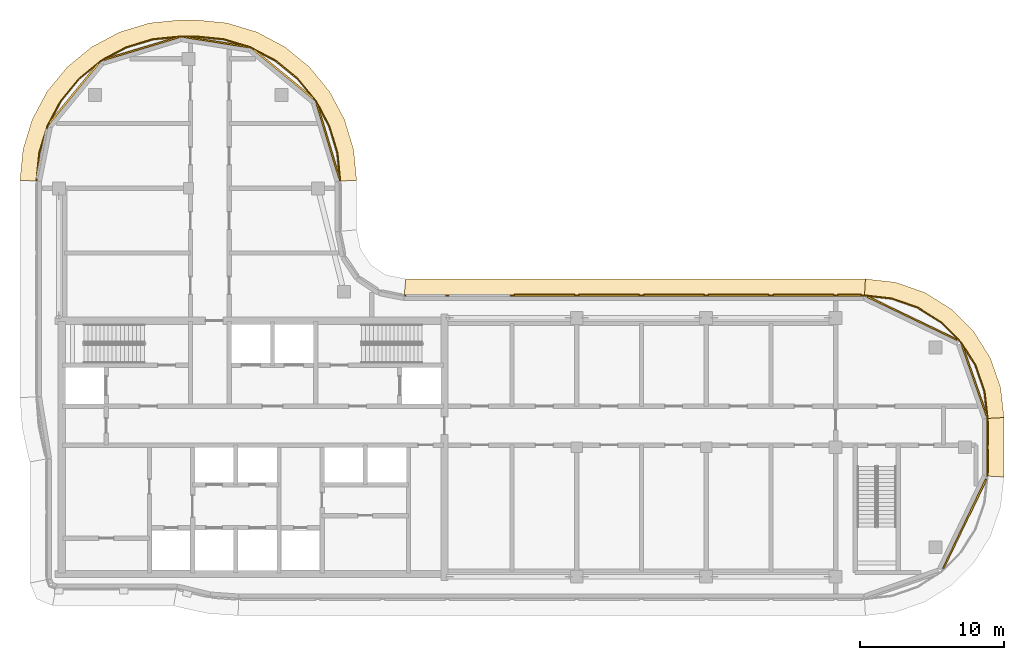
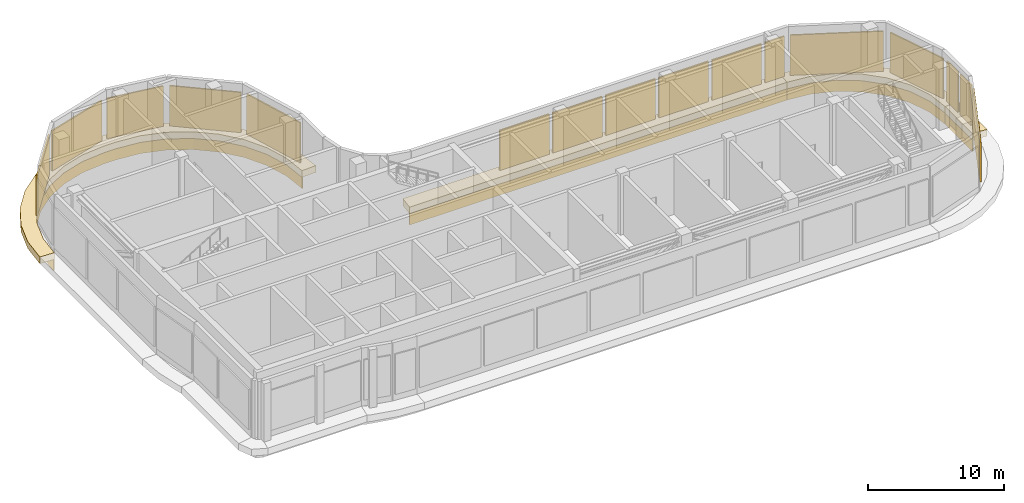
# One storey, part 14 of 14: 16 shading devices, 8 coverings.
"""IFC4 building model written with IfcOpenShell, lengths in metres."""

from ifc_helpers import new_model, si_unit, direction, frame, origin, origin_2d, place, context, subcontext, project, spatial, polyline, rectangle, outline, extrude, material, layer, layer_set, type_object, element, save


model = new_model("IFC4")

# Units and contexts
model_context = context("Model", 3, precision=1e-05, world=origin(), true_north=direction((0.0, 1.0)))
body_context = subcontext(model_context, "Body", "Model", "MODEL_VIEW")
ifc_project = project(units=[si_unit("LENGTHUNIT", "METRE"), si_unit("AREAUNIT", "SQUARE_METRE"), si_unit("VOLUMEUNIT", "CUBIC_METRE"), si_unit("PLANEANGLEUNIT", "RADIAN"), si_unit("MASSUNIT", "GRAM", prefix="KILO")], contexts=[model_context])

# Site, building, storey
site_placement = place(None, origin())
site = spatial("IfcSite", under=ifc_project, at=site_placement, CompositionType="ELEMENT")
building_placement = place(site_placement, origin())
building = spatial("IfcBuilding", under=site, at=building_placement, Name="Ogive Portal Towers", CompositionType="ELEMENT")
storey_placement = place(building_placement, frame((0.0, 0.0, 243.89990234375)))
storey = spatial("IfcBuildingStorey", under=building, at=storey_placement, Name="L61", CompositionType="ELEMENT", Elevation=243.89990234375)

# Shading devices
ifc_material_1 = material(Name="Aluminium 6063 anodised", Category="aluminium")
ifc_layer_1 = layer(ifc_material_1, 0.1201171875)
ifc_layer_set_1 = layer_set([ifc_layer_1], Name="LOUVRE BANK ALUMINIUM")
shading_device_type = type_object("IfcShadingDeviceType", Name="LOUVRE BANK ALUMINIUM", PredefinedType="USERDEFINED", material=ifc_layer_set_1)
shading_device_1_placement = place(storey_placement, frame((94.466064453125, 25.17626953125, 0.60009765625), z_axis=(0.0, 0.0, 1.0), x_axis=(0.433883739113, 0.900968867905, 0.0)))
element("IfcShadingDevice", 1, at=shading_device_1_placement, inside=storey, type_object=shading_device_type, Name="Louvre bank 1", ObjectType="LOUVRE", PredefinedType="USERDEFINED", context=body_context, shape_type="SweptSolid", body=[
    extrude(rectangle(XDim=6.88330078125, YDim=0.1201171875, at=origin_2d()), origin(), (0.0, 0.0, 1.0), 3.60009765625),
])
shading_device_2_placement = place(storey_placement, frame((96.06005859375, 29.5341796875, 0.60009765625), z_axis=(0.0, 0.0, 1.0), x_axis=(0.0, 1.0, 0.0)))
element("IfcShadingDevice", 2, at=shading_device_2_placement, inside=storey, type_object=shading_device_type, Name="Louvre bank 1", ObjectType="LOUVRE", PredefinedType="USERDEFINED", context=body_context, shape_type="SweptSolid", body=[
    extrude(rectangle(XDim=1.631591796875, YDim=0.1201171875, at=origin_2d()), origin(), (0.0, 0.0, 1.0), 3.60009765625),
])
shading_device_3_placement = place(storey_placement, frame((96.06005859375, 31.474609375, 0.60009765625), z_axis=(0.0, 0.0, 1.0), x_axis=(0.0, 1.0, 0.0)))
element("IfcShadingDevice", 3, at=shading_device_3_placement, inside=storey, type_object=shading_device_type, Name="Louvre bank 2", ObjectType="LOUVRE", PredefinedType="USERDEFINED", context=body_context, shape_type="SweptSolid", body=[
    extrude(rectangle(XDim=1.64892578125, YDim=0.1201171875, at=origin_2d()), origin(), (0.0, 0.0, 1.0), 3.60009765625),
])
shading_device_4_placement = place(storey_placement, frame((95.1416015625, 35.135009765625, 0.60009765625), z_axis=(0.0, 0.0, 1.0), x_axis=(-0.33027906196, 0.943883330307, 0.0)))
element("IfcShadingDevice", 4, at=shading_device_4_placement, inside=storey, type_object=shading_device_type, Name="Louvre bank 1", ObjectType="LOUVRE", PredefinedType="USERDEFINED", context=body_context, shape_type="SweptSolid", body=[
    extrude(rectangle(XDim=5.139404296875, YDim=0.1201171875, at=origin_2d()), origin(), (0.0, 0.0, 1.0), 3.60009765625),
])
shading_device_5_placement = place(storey_placement, frame((90.82373046875, 39.466064453125, 0.60009765625), z_axis=(0.0, 0.0, 1.0), x_axis=(-0.900968867905, 0.433883739113, 0.0)))
element("IfcShadingDevice", 5, at=shading_device_5_placement, inside=storey, type_object=shading_device_type, Name="Louvre bank 1", ObjectType="LOUVRE", PredefinedType="USERDEFINED", context=body_context, shape_type="SweptSolid", body=[
    extrude(rectangle(XDim=6.88330078125, YDim=0.1201171875, at=origin_2d()), origin(), (0.0, 0.0, 1.0), 3.60009765625),
])
shading_device_6_placement = place(storey_placement, frame((86.4658203125, 41.06005859375, 0.60009765625), z_axis=(0.0, 0.0, 1.0), x_axis=(-1.0, 0.0, 0.0)))
element("IfcShadingDevice", 6, at=shading_device_6_placement, inside=storey, type_object=shading_device_type, Name="Louvre bank 1", ObjectType="LOUVRE", PredefinedType="USERDEFINED", context=body_context, shape_type="SweptSolid", body=[
    extrude(rectangle(XDim=1.631591796875, YDim=0.1201171875, at=origin_2d()), origin(), (0.0, 0.0, 1.0), 3.60009765625),
])
for number, where, z_axis, x_axis, name in (
    (7, (83.25, 41.06005859375, 0.60009765625), (0.0, 0.0, 1.0), (-1.0, 0.0, 0.0), "Louvre bank 2"),
    (8, (78.75, 41.06005859375, 0.60009765625), (0.0, 0.0, 1.0), (-1.0, 0.0, 0.0), "Louvre bank 3"),
    (9, (74.25, 41.06005859375, 0.60009765625), (0.0, 0.0, 1.0), (-1.0, 0.0, 0.0), "Louvre bank 4"),
    (10, (69.75, 41.06005859375, 0.60009765625), (0.0, 0.0, 1.0), (-1.0, 0.0, 0.0), "Louvre bank 5"),
    (11, (65.25, 41.06005859375, 0.60009765625), (0.0, 0.0, 1.0), (-1.0, 0.0, 0.0), "Louvre bank 6"),
):
    element("IfcShadingDevice", number, at=place(storey_placement, frame(where, z_axis=z_axis, x_axis=x_axis)), inside=storey, type_object=shading_device_type, Name=name, ObjectType="LOUVRE", PredefinedType="USERDEFINED", context=body_context, shape_type="SweptSolid", body=[
        extrude(rectangle(XDim=4.199951171875, YDim=0.1201171875, at=origin_2d()), origin(), (0.0, 0.0, 1.0), 3.60009765625),
    ])
shading_device_7_placement = place(storey_placement, frame((50.221435546875, 51.77294921875, 0.60009765625), z_axis=(0.0, 0.0, 1.0), x_axis=(-0.290284677254, 0.956940335732, 0.0)))
element("IfcShadingDevice", 12, at=shading_device_7_placement, inside=storey, type_object=shading_device_type, Name="Louvre bank 1", ObjectType="LOUVRE", PredefinedType="USERDEFINED", context=body_context, shape_type="SweptSolid", body=[
    extrude(rectangle(XDim=5.3701171875, YDim=0.1201171875, at=origin_2d()), origin(), (0.0, 0.0, 1.0), 3.60009765625),
])
shading_device_8_placement = place(storey_placement, frame((47.105224609375, 56.446533203125, 0.60009765625), z_axis=(0.0, 0.0, 1.0), x_axis=(-0.773010453363, 0.634393284164, 0.0)))
element("IfcShadingDevice", 13, at=shading_device_8_placement, inside=storey, type_object=shading_device_type, Name="Louvre bank 1", ObjectType="LOUVRE", PredefinedType="USERDEFINED", context=body_context, shape_type="SweptSolid", body=[
    extrude(rectangle(XDim=5.333251953125, YDim=0.1201171875, at=origin_2d()), origin(), (0.0, 0.0, 1.0), 3.60009765625),
])
shading_device_9_placement = place(storey_placement, frame((42.41650390625, 58.6796875, 0.60009765625), z_axis=(0.0, 0.0, 1.0), x_axis=(-0.987792174992, 0.155777466355, 0.0)))
element("IfcShadingDevice", 14, at=shading_device_9_placement, inside=storey, type_object=shading_device_type, Name="Louvre bank 1", ObjectType="LOUVRE", PredefinedType="USERDEFINED", context=body_context, shape_type="SweptSolid", body=[
    extrude(rectangle(XDim=4.43603515625, YDim=0.1201171875, at=origin_2d()), origin(), (0.0, 0.0, 1.0), 3.60009765625),
])
shading_device_10_placement = place(storey_placement, frame((37.21533203125, 58.218017578125, 0.60009765625), z_axis=(0.0, 0.0, 1.0), x_axis=(-0.956940335732, -0.290284677254, 0.0)))
element("IfcShadingDevice", 15, at=shading_device_10_placement, inside=storey, type_object=shading_device_type, Name="Louvre bank 1", ObjectType="LOUVRE", PredefinedType="USERDEFINED", context=body_context, shape_type="SweptSolid", body=[
    extrude(rectangle(XDim=5.345947265625, YDim=0.1201171875, at=origin_2d()), origin(), (0.0, 0.0, 1.0), 3.60009765625),
])
shading_device_11_placement = place(storey_placement, frame((32.55126953125, 55.102783203125, 0.60009765625), z_axis=(0.0, 0.0, 1.0), x_axis=(-0.634393284164, -0.773010453363, 0.0)))
element("IfcShadingDevice", 16, at=shading_device_11_placement, inside=storey, type_object=shading_device_type, Name="Louvre bank 1", ObjectType="LOUVRE", PredefinedType="USERDEFINED", context=body_context, shape_type="SweptSolid", body=[
    extrude(rectangle(XDim=5.339599609375, YDim=0.1201171875, at=origin_2d()), origin(), (0.0, 0.0, 1.0), 3.60009765625),
])

# Coverings
ifc_material_2 = material(Name="Limestone cladding on lightweight block wall", Category="masonry")
ifc_layer_2 = layer(ifc_material_2, 0.080078125)
ifc_layer_set_2 = layer_set([ifc_layer_2], Name="STONE SPANDREL 80")
covering_type_1 = type_object("IfcCoveringType", Name="STONE SPANDREL 80", PredefinedType="CLADDING", material=ifc_layer_set_2)
covering_1_placement = place(storey_placement, frame((0.0, 0.0, -1.599853515625)))
element("IfcCovering", 17, at=covering_1_placement, inside=storey, type_object=covering_type_1, Name="Stone spandrel A1-F07", PredefinedType="CLADDING", context=body_context, shape_type="SweptSolid", body=[
    extrude(outline(polyline([(96.0, 28.5), (96.0, 32.5), (96.080078125, 32.50439453125), (96.080078125, 28.49560546875), (96.0, 28.5)])), origin(), (0.0, 0.0, 1.0), 1.0),
])
covering_2_placement = place(storey_placement, frame((0.0, 0.0, -1.599853515625)))
element("IfcCovering", 18, at=covering_2_placement, inside=storey, type_object=covering_type_1, Name="Stone spandrel A1-F08", PredefinedType="CLADDING", context=body_context, shape_type="SweptSolid", body=[
    extrude(outline(polyline([(96.0, 32.5), (95.786865234375, 34.391357421875), (95.158203125, 36.18798828125), (94.1455078125, 37.799560546875), (92.799560546875, 39.1455078125), (91.18798828125, 40.158203125), (89.391357421875, 40.786865234375), (87.5, 41.0), (87.50439453125, 41.080078125), (89.409423828125, 40.865478515625), (91.222900390625, 40.230712890625), (92.849853515625, 39.20849609375), (94.20849609375, 37.849853515625), (95.230712890625, 36.222900390625), (95.865478515625, 34.409423828125), (96.080078125, 32.50439453125), (96.0, 32.5)])), origin(), (0.0, 0.0, 1.0), 1.0),
])
covering_3_placement = place(storey_placement, frame((0.0, 0.0, -1.599853515625)))
element("IfcCovering", 19, at=covering_3_placement, inside=storey, type_object=covering_type_1, Name="Stone spandrel A1-F09", PredefinedType="CLADDING", context=body_context, shape_type="SweptSolid", body=[
    extrude(outline(polyline([(87.5, 41.0), (55.5, 41.0), (55.5078125, 41.080078125), (87.50439453125, 41.080078125), (87.5, 41.0)])), origin(), (0.0, 0.0, 1.0), 1.0),
])
covering_4_placement = place(storey_placement, frame((0.0, 0.0, -1.599853515625)))
element("IfcCovering", 20, at=covering_4_placement, inside=storey, type_object=covering_type_1, Name="Stone spandrel A1-F12", PredefinedType="CLADDING", context=body_context, shape_type="SweptSolid", body=[
    extrude(outline(polyline([(51.0, 49.0), (50.807861328125, 50.950927734375), (50.23876953125, 52.826904296875), (49.314697265625, 54.5556640625), (48.071044921875, 56.071044921875), (46.5556640625, 57.314697265625), (44.826904296875, 58.23876953125), (42.950927734375, 58.807861328125), (41.0, 59.0), (40.0, 59.0), (38.049072265625, 58.807861328125), (36.173095703125, 58.23876953125), (34.4443359375, 57.314697265625), (32.928955078125, 56.071044921875), (31.685302734375, 54.5556640625), (30.76123046875, 52.826904296875), (30.192138671875, 50.950927734375), (30.0, 49.0), (29.919921875, 49.00390625), (30.11328125, 50.966552734375), (30.68701171875, 52.857666015625), (31.618408203125, 54.600341796875), (32.8720703125, 56.1279296875), (34.399658203125, 57.381591796875), (36.142333984375, 58.31298828125), (38.033447265625, 58.88671875), (39.99609375, 59.080078125), (41.00390625, 59.080078125), (42.966552734375, 58.88671875), (44.857666015625, 58.31298828125), (46.600341796875, 57.381591796875), (48.1279296875, 56.1279296875), (49.381591796875, 54.600341796875), (50.31298828125, 52.857666015625), (50.88671875, 50.966552734375), (51.080078125, 49.00390625), (51.0, 49.0)])), origin(), (0.0, 0.0, 1.0), 1.0),
])
ifc_layer_3 = layer(ifc_material_2, 0.60009765625)
ifc_layer_set_3 = layer_set([ifc_layer_3], Name="SUNSHADE LIP 600")
covering_type_2 = type_object("IfcCoveringType", Name="SUNSHADE LIP 600", PredefinedType="CLADDING", material=ifc_layer_set_3)
covering_5_placement = place(storey_placement, frame((0.0, 0.0, -0.599853515625)))
element("IfcCovering", 21, at=covering_5_placement, inside=storey, type_object=covering_type_2, Name="Sunshade lip A1-F07", PredefinedType="CLADDING", context=body_context, shape_type="SweptSolid", body=[
    extrude(outline(polyline([(96.0, 28.5), (96.0, 32.5), (97.199951171875, 32.5673828125), (97.199951171875, 28.4326171875), (96.0, 28.5)])), origin(), (0.0, 0.0, 1.0), 0.599853515625),
])
covering_6_placement = place(storey_placement, frame((0.0, 0.0, -0.599853515625)))
element("IfcCovering", 22, at=covering_6_placement, inside=storey, type_object=covering_type_2, Name="Sunshade lip A1-F08", PredefinedType="CLADDING", context=body_context, shape_type="SweptSolid", body=[
    extrude(outline(polyline([(96.0, 32.5), (95.786865234375, 34.391357421875), (95.158203125, 36.18798828125), (94.1455078125, 37.799560546875), (92.799560546875, 39.1455078125), (91.18798828125, 40.158203125), (89.391357421875, 40.786865234375), (87.5, 41.0), (87.5673828125, 42.199951171875), (89.66015625, 41.964111328125), (91.7119140625, 41.246337890625), (93.552490234375, 40.089599609375), (95.089599609375, 38.552490234375), (96.246337890625, 36.7119140625), (96.964111328125, 34.66015625), (97.199951171875, 32.5673828125), (96.0, 32.5)])), origin(), (0.0, 0.0, 1.0), 0.599853515625),
])
covering_7_placement = place(storey_placement, frame((0.0, 0.0, -0.599853515625)))
element("IfcCovering", 23, at=covering_7_placement, inside=storey, type_object=covering_type_2, Name="Sunshade lip A1-F09", PredefinedType="CLADDING", context=body_context, shape_type="SweptSolid", body=[
    extrude(outline(polyline([(87.5, 41.0), (55.5, 41.0), (55.6181640625, 42.199951171875), (87.5673828125, 42.199951171875), (87.5, 41.0)])), origin(), (0.0, 0.0, 1.0), 0.599853515625),
])
covering_8_placement = place(storey_placement, frame((0.0, 0.0, -0.599853515625)))
element("IfcCovering", 24, at=covering_8_placement, inside=storey, type_object=covering_type_2, Name="Sunshade lip A1-F12", PredefinedType="CLADDING", context=body_context, shape_type="SweptSolid", body=[
    extrude(outline(polyline([(51.0, 49.0), (50.807861328125, 50.950927734375), (50.23876953125, 52.826904296875), (49.314697265625, 54.5556640625), (48.071044921875, 56.071044921875), (46.5556640625, 57.314697265625), (44.826904296875, 58.23876953125), (42.950927734375, 58.807861328125), (41.0, 59.0), (40.0, 59.0), (38.049072265625, 58.807861328125), (36.173095703125, 58.23876953125), (34.4443359375, 57.314697265625), (32.928955078125, 56.071044921875), (31.685302734375, 54.5556640625), (30.76123046875, 52.826904296875), (30.192138671875, 50.950927734375), (30.0, 49.0), (28.800048828125, 49.058837890625), (29.009521484375, 51.18603515625), (29.647216796875, 53.288330078125), (30.6826171875, 55.2255859375), (32.076416015625, 56.923583984375), (33.7744140625, 58.3173828125), (35.711669921875, 59.352783203125), (37.81396484375, 59.990478515625), (39.941162109375, 60.199951171875), (41.058837890625, 60.199951171875), (43.18603515625, 59.990478515625), (45.288330078125, 59.352783203125), (47.2255859375, 58.3173828125), (48.923583984375, 56.923583984375), (50.3173828125, 55.2255859375), (51.352783203125, 53.288330078125), (51.990478515625, 51.18603515625), (52.199951171875, 49.058837890625), (51.0, 49.0)])), origin(), (0.0, 0.0, 1.0), 0.599853515625),
])

save(model, "model.ifc")
